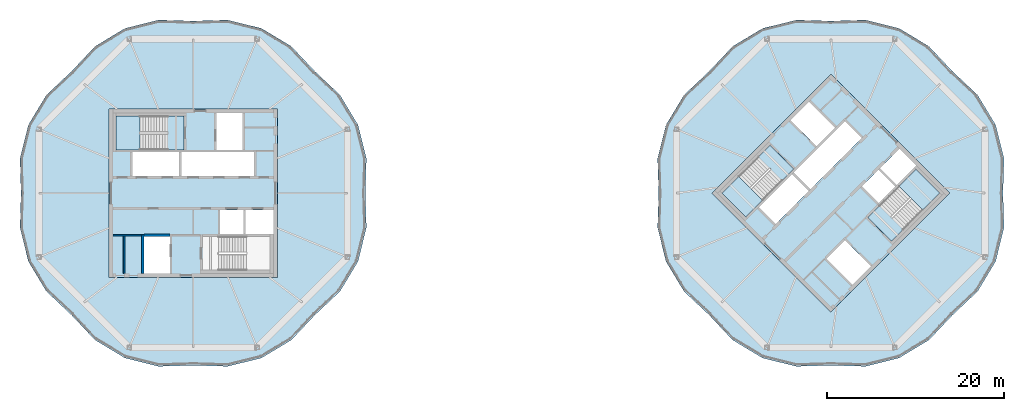
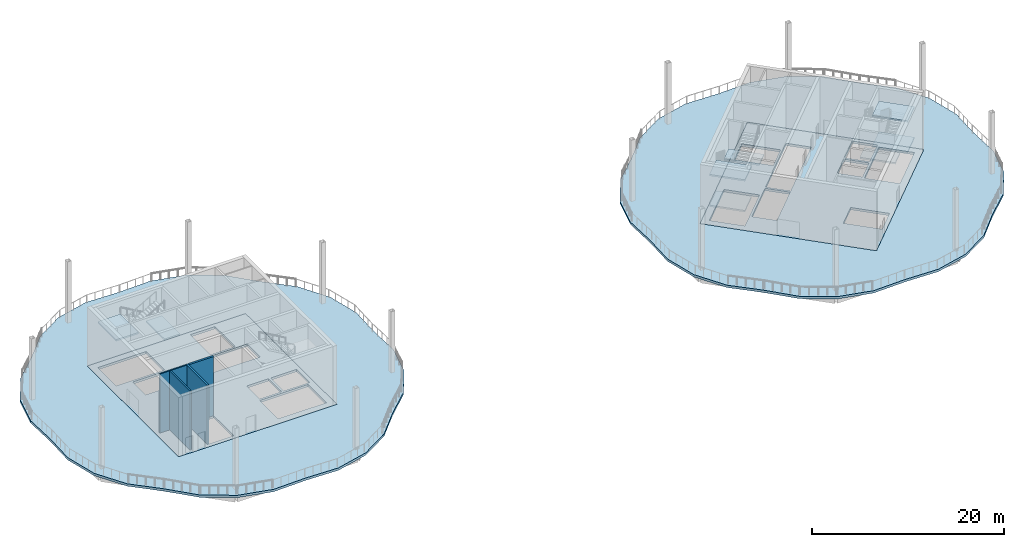
# One storey, part 4 of 12: 12 slabs, 4 walls, 3 elements without a shape of their own.
"""IFC4 building model written with IfcOpenShell, lengths in metres."""

from ifc_helpers import new_model, si_unit, direction, frame, frame_2d, origin, place, context, subcontext, project, spatial, polyline, rectangle, outline, extrude, material, layer, layer_set, type_object, element, aggregate, save


model = new_model("IFC4")

# Units and contexts
model_context = context("Model", 3, precision=1e-05, world=origin(), true_north=direction((0.0, 1.0)))
body_context = subcontext(model_context, "Body", "Model", "MODEL_VIEW")
ifc_project = project(units=[si_unit("LENGTHUNIT", "METRE"), si_unit("AREAUNIT", "SQUARE_METRE"), si_unit("VOLUMEUNIT", "CUBIC_METRE"), si_unit("PLANEANGLEUNIT", "RADIAN"), si_unit("MASSUNIT", "GRAM", prefix="KILO")], contexts=[model_context])

# Site, building, storey
site_placement = place(None, origin())
site = spatial("IfcSite", under=ifc_project, at=site_placement, CompositionType="ELEMENT")
building_placement = place(site_placement, origin())
building = spatial("IfcBuilding", under=site, at=building_placement, Name="Ogive Gate Towers", CompositionType="ELEMENT")
storey_placement = place(building_placement, frame((0.0, 0.0, 248.39990234375)))
storey = spatial("IfcBuildingStorey", under=building, at=storey_placement, Name="L59", CompositionType="ELEMENT", Elevation=248.39990234375)

# Slabs
ifc_material_1 = material(Name="Concrete C40/50", Category="concrete")
ifc_layer_1 = layer(ifc_material_1, 0.300048828125)
ifc_layer_set_1 = layer_set([ifc_layer_1], Name="Core slab C40/50 300 mm")
slab_type_1 = type_object("IfcSlabType", Name="Core slab C40/50 300 mm", PredefinedType="FLOOR", material=ifc_layer_set_1)
slab_1_placement = place(storey_placement, frame((0.0, 0.0, -0.2998046875)))
element("IfcSlab", 1, at=slab_1_placement, inside=storey, type_object=slab_type_1, Name="T1 L59 core slab", PredefinedType="FLOOR", context=body_context, shape_type="SweptSolid", body=[
    extrude(outline(polyline([(-45.5, -9.5), (-45.5, 9.5), (-26.5, 9.5), (-26.5, -9.5), (-45.5, -9.5)]), holes=[polyline([(-42.875, 1.925048828125), (-37.574951171875, 1.925048828125), (-37.574951171875, 4.625), (-42.875, 4.625), (-42.875, 1.925048828125)]), polyline([(-37.324951171875, 4.625), (-37.324951171875, 1.925048828125), (-29.125, 1.925048828125), (-29.125, 4.625), (-37.324951171875, 4.625)]), polyline([(-30.324951171875, -1.925048828125), (-32.97509765625, -1.925048828125), (-32.97509765625, -4.625), (-30.324951171875, -4.625), (-30.324951171875, -1.925048828125)]), polyline([(-26.949951171875, -4.625), (-26.949951171875, -1.925048828125), (-30.074951171875, -1.925048828125), (-30.074951171875, -4.625), (-26.949951171875, -4.625)]), polyline([(-33.375, 4.875), (-30.425048828125, 4.875), (-30.425048828125, 9.050048828125), (-33.375, 9.050048828125), (-33.375, 4.875)]), polyline([(-41.574951171875, -4.875), (-41.574951171875, -9.050048828125), (-38.625, -9.050048828125), (-38.625, -4.875), (-41.574951171875, -4.875)]), polyline([(-44.699951171875, 4.875), (-38.885009765625, 4.875), (-38.885009765625, 8.699951171875), (-44.699951171875, 8.699951171875), (-44.699951171875, 4.875)]), polyline([(-27.300048828125, -8.699951171875), (-27.300048828125, -4.875), (-33.114990234375, -4.875), (-33.114990234375, -8.699951171875), (-27.300048828125, -8.699951171875)])]), origin(), (0.0, 0.0, 1.0), 0.2998046875),
])
slab_2_placement = place(storey_placement, frame((0.0, 0.0, -0.2998046875)))
element("IfcSlab", 2, at=slab_2_placement, inside=storey, type_object=slab_type_1, Name="T2 L59 core slab", PredefinedType="FLOOR", context=body_context, shape_type="SweptSolid", body=[
    extrude(outline(polyline([(36.0, -13.43505859375), (22.56494140625, 0.0), (36.0, 13.43505859375), (49.43505859375, 0.0), (36.0, -13.43505859375)]), holes=[polyline([(29.777587890625, -3.500244140625), (33.525146484375, 0.24755859375), (31.615966796875, 2.15673828125), (27.868408203125, -1.591064453125), (29.777587890625, -3.500244140625)]), polyline([(31.792724609375, 2.33349609375), (33.701904296875, 0.42431640625), (39.500244140625, 6.222412109375), (37.591064453125, 8.131591796875), (31.792724609375, 2.33349609375)]), polyline([(41.3740234375, 2.651611328125), (39.500244140625, 0.77783203125), (41.409423828125, -1.13134765625), (43.283203125, 0.742431640625), (41.3740234375, 2.651611328125)]), polyline([(45.669677734375, 3.12890625), (43.760498046875, 5.0380859375), (41.55078125, 2.828369140625), (43.4599609375, 0.919189453125), (45.669677734375, 3.12890625)]), polyline([(34.408935546875, 5.30322265625), (36.4951171875, 7.389404296875), (33.542724609375, 10.34130859375), (31.456787109375, 8.255615234375), (34.408935546875, 5.30322265625)]), polyline([(35.5048828125, -7.389404296875), (38.457275390625, -10.34130859375), (40.543212890625, -8.255615234375), (37.591064453125, -5.30322265625), (35.5048828125, -7.389404296875)]), polyline([(26.40087890625, -2.70458984375), (30.512939453125, 1.406982421875), (27.80810546875, 4.11181640625), (23.6962890625, 0.0), (26.40087890625, -2.70458984375)]), polyline([(48.3037109375, 0.0), (45.59912109375, 2.70458984375), (41.487060546875, -1.406982421875), (44.19189453125, -4.11181640625), (48.3037109375, 0.0)])]), origin(), (0.0, 0.0, 1.0), 0.2998046875),
])
ifc_material_2 = material(Name="Concrete C35/45", Category="concrete")
ifc_layer_2 = layer(ifc_material_2, 0.300048828125)
ifc_layer_set_2 = layer_set([ifc_layer_2], Name="Floor slab 300")
slab_type_2 = type_object("IfcSlabType", Name="Floor slab 300", PredefinedType="FLOOR", material=ifc_layer_set_2)
slab_3_placement = place(storey_placement, frame((0.0, 0.0, -0.2998046875)))
element("IfcSlab", 3, at=slab_3_placement, inside=storey, type_object=slab_type_2, Name="T1/L59/SSL001", PredefinedType="FLOOR", context=body_context, shape_type="SweptSolid", body=[
    extrude(outline(polyline([(-16.443115234375, -3.89013671875), (-16.56005859375, 0.0), (-16.443115234375, 3.89013671875), (-17.39306640625, 7.707275390625), (-19.42041015625, 11.078125), (-22.25390625, 13.74609375), (-24.921875, 16.57958984375), (-28.292724609375, 18.60693359375), (-32.10986328125, 19.556884765625), (-36.0, 19.43994140625), (-39.89013671875, 19.556884765625), (-43.707275390625, 18.60693359375), (-47.078125, 16.57958984375), (-49.74609375, 13.74609375), (-52.57958984375, 11.078125), (-54.60693359375, 7.707275390625), (-55.556884765625, 3.89013671875), (-55.43994140625, 0.0), (-55.556884765625, -3.89013671875), (-54.60693359375, -7.707275390625), (-52.57958984375, -11.078125), (-49.74609375, -13.74609375), (-47.078125, -16.57958984375), (-43.707275390625, -18.60693359375), (-39.89013671875, -19.556884765625), (-36.0, -19.43994140625), (-32.10986328125, -19.556884765625), (-28.292724609375, -18.60693359375), (-24.921875, -16.57958984375), (-22.25390625, -13.74609375), (-19.42041015625, -11.078125), (-17.39306640625, -7.707275390625), (-16.443115234375, -3.89013671875)]), holes=[polyline([(-26.5, -9.5), (-45.5, -9.5), (-45.5, 9.5), (-26.5, 9.5), (-26.5, -9.5)])]), origin(), (0.0, 0.0, 1.0), 0.2998046875),
])
slab_4_placement = place(storey_placement, frame((0.0, 0.0, -0.2998046875)))
element("IfcSlab", 4, at=slab_4_placement, inside=storey, type_object=slab_type_2, Name="T2/L59/SSL001", PredefinedType="FLOOR", context=body_context, shape_type="SweptSolid", body=[
    extrude(outline(polyline([(55.556884765625, -3.89013671875), (55.43994140625, 0.0), (55.556884765625, 3.89013671875), (54.60693359375, 7.707275390625), (52.57958984375, 11.078125), (49.74609375, 13.74609375), (47.078125, 16.57958984375), (43.707275390625, 18.60693359375), (39.89013671875, 19.556884765625), (36.0, 19.43994140625), (32.10986328125, 19.556884765625), (28.292724609375, 18.60693359375), (24.921875, 16.57958984375), (22.25390625, 13.74609375), (19.42041015625, 11.078125), (17.39306640625, 7.707275390625), (16.443115234375, 3.89013671875), (16.56005859375, 0.0), (16.443115234375, -3.89013671875), (17.39306640625, -7.707275390625), (19.42041015625, -11.078125), (22.25390625, -13.74609375), (24.921875, -16.57958984375), (28.292724609375, -18.60693359375), (32.10986328125, -19.556884765625), (36.0, -19.43994140625), (39.89013671875, -19.556884765625), (43.707275390625, -18.60693359375), (47.078125, -16.57958984375), (49.74609375, -13.74609375), (52.57958984375, -11.078125), (54.60693359375, -7.707275390625), (55.556884765625, -3.89013671875)]), holes=[polyline([(49.43505859375, 0.0), (36.0, -13.43505859375), (22.56494140625, 0.0), (36.0, 13.43505859375), (49.43505859375, 0.0)])]), origin(), (0.0, 0.0, 1.0), 0.2998046875),
])

# Stair, slabs
stair_type = type_object("IfcStairType", Name="Escape stair 1840 wide", PredefinedType="HALF_TURN_STAIR", material=ifc_material_1)
stair_1_placement = place(storey_placement, origin())
stair_1 = element("IfcStair", 5, at=stair_1_placement, inside=storey, type_object=stair_type, Name="L59 Escape stair 1", PredefinedType="HALF_TURN_STAIR")
ifc_layer_3 = layer(ifc_material_1, 0.199951171875)
ifc_layer_set_3 = layer_set([ifc_layer_3], Name="Stair landing 200 mm")
slab_type_3 = type_object("IfcSlabType", Name="Stair landing 200 mm", PredefinedType="LANDING", material=ifc_layer_set_3)
slab_5_placement = place(storey_placement, frame((0.0, 0.0, 3.7001953125)))
slab_5 = element("IfcSlab", 6, at=slab_5_placement, type_object=slab_type_3, Name="ST1 landing 2", PredefinedType="LANDING", context=body_context, shape_type="SweptSolid", body=[
    extrude(outline(polyline([(-37.02490234375, 8.699951171875), (-38.885009765625, 8.699951171875), (-38.885009765625, 4.875), (-37.02490234375, 4.875), (-37.02490234375, 8.699951171875)])), origin(), (0.0, 0.0, 1.0), 0.199951171875),
])
slab_6_placement = place(storey_placement, frame((0.0, 0.0, 5.650146484375)))
slab_6 = element("IfcSlab", 7, at=slab_6_placement, type_object=slab_type_3, Name="ST1 landing 3", PredefinedType="LANDING", context=body_context, shape_type="SweptSolid", body=[
    extrude(outline(polyline([(-42.00146484375, 8.699951171875), (-44.699951171875, 8.699951171875), (-44.699951171875, 4.875), (-42.00146484375, 4.875), (-42.00146484375, 8.699951171875)])), origin(), (0.0, 0.0, 1.0), 0.199951171875),
])
aggregate(stair_1, [slab_5, slab_6])

stair_2_placement = place(storey_placement, origin())
stair_2 = element("IfcStair", 8, at=stair_2_placement, inside=storey, type_object=stair_type, Name="L59 Escape stair 1", PredefinedType="HALF_TURN_STAIR")
slab_7_placement = place(storey_placement, frame((0.0, 0.0, 1.75)))
slab_7 = element("IfcSlab", 9, at=slab_7_placement, type_object=slab_type_3, Name="ST1 landing 1", PredefinedType="LANDING", context=body_context, shape_type="SweptSolid", body=[
    extrude(outline(polyline([(25.6044921875, 1.908203125), (23.6962890625, 0.0), (26.401123046875, -2.70458984375), (28.309326171875, -0.79638671875), (25.6044921875, 1.908203125)])), origin(), (0.0, 0.0, 1.0), 0.2001953125),
])
slab_8_placement = place(storey_placement, frame((0.0, 0.0, 3.7001953125)))
slab_8 = element("IfcSlab", 10, at=slab_8_placement, type_object=slab_type_3, Name="ST1 landing 2", PredefinedType="LANDING", context=body_context, shape_type="SweptSolid", body=[
    extrude(outline(polyline([(29.123291015625, 5.427001953125), (27.80810546875, 4.11181640625), (30.512939453125, 1.4072265625), (31.828125, 2.722412109375), (29.123291015625, 5.427001953125)])), origin(), (0.0, 0.0, 1.0), 0.199951171875),
])
slab_9_placement = place(storey_placement, frame((0.0, 0.0, 5.650146484375)))
slab_9 = element("IfcSlab", 11, at=slab_9_placement, type_object=slab_type_3, Name="ST1 landing 3", PredefinedType="LANDING", context=body_context, shape_type="SweptSolid", body=[
    extrude(outline(polyline([(25.6044921875, 1.908203125), (23.6962890625, 0.0), (26.401123046875, -2.70458984375), (28.309326171875, -0.79638671875), (25.6044921875, 1.908203125)])), origin(), (0.0, 0.0, 1.0), 0.199951171875),
])
aggregate(stair_2, [slab_7, slab_8, slab_9])

stair_3_placement = place(storey_placement, origin())
stair_3 = element("IfcStair", 12, at=stair_3_placement, inside=storey, type_object=stair_type, Name="L59 Escape stair 2", PredefinedType="HALF_TURN_STAIR")
slab_10_placement = place(storey_placement, frame((0.0, 0.0, 1.75)))
slab_10 = element("IfcSlab", 13, at=slab_10_placement, type_object=slab_type_3, Name="ST2 landing 1", PredefinedType="LANDING", context=body_context, shape_type="SweptSolid", body=[
    extrude(outline(polyline([(46.3955078125, -1.908203125), (48.3037109375, 0.0), (45.598876953125, 2.70458984375), (43.690673828125, 0.79638671875), (46.3955078125, -1.908203125)])), origin(), (0.0, 0.0, 1.0), 0.2001953125),
])
slab_11_placement = place(storey_placement, frame((0.0, 0.0, 3.7001953125)))
slab_11 = element("IfcSlab", 14, at=slab_11_placement, type_object=slab_type_3, Name="ST2 landing 2", PredefinedType="LANDING", context=body_context, shape_type="SweptSolid", body=[
    extrude(outline(polyline([(42.876708984375, -5.427001953125), (44.19189453125, -4.11181640625), (41.487060546875, -1.4072265625), (40.171875, -2.722412109375), (42.876708984375, -5.427001953125)])), origin(), (0.0, 0.0, 1.0), 0.199951171875),
])
slab_12_placement = place(storey_placement, frame((0.0, 0.0, 5.650146484375)))
slab_12 = element("IfcSlab", 15, at=slab_12_placement, type_object=slab_type_3, Name="ST2 landing 3", PredefinedType="LANDING", context=body_context, shape_type="SweptSolid", body=[
    extrude(outline(polyline([(46.3955078125, -1.908203125), (48.3037109375, 0.0), (45.598876953125, 2.70458984375), (43.690673828125, 0.79638671875), (46.3955078125, -1.908203125)])), origin(), (0.0, 0.0, 1.0), 0.199951171875),
])
aggregate(stair_3, [slab_10, slab_11, slab_12])

# Walls
ifc_material_3 = material(Name="Gypsum board partition")
ifc_layer_4 = layer(ifc_material_3, 0.14990234375)
ifc_layer_set_4 = layer_set([ifc_layer_4], Name="Room partition 150 mm")
wall_type_1 = type_object("IfcWallType", Name="Room partition 150 mm", PredefinedType="PARTITIONING", material=ifc_layer_set_4)
wall_1_placement = place(storey_placement, frame((-45.050048828125, -4.75, 0.0), z_axis=(0.0, 0.0, 1.0), x_axis=(1.0, 0.0, 0.0)))
element("IfcWall", 16, at=wall_1_placement, inside=storey, type_object=wall_type_1, Name="T1 L59 Room partition 150 mm", PredefinedType="PARTITIONING", context=body_context, shape_type="SweptSolid", body=[
    extrude(rectangle(XDim=3.22509765625, YDim=0.14990234375, at=frame_2d((1.612548828125, 0.0))), origin(), (0.0, 0.0, 1.0), 7.5),
])
wall_2_placement = place(storey_placement, frame((-43.800048828125, -9.050048828125, 0.0), z_axis=(0.0, 0.0, 1.0), x_axis=(0.0, 1.0, 0.0)))
element("IfcWall", 17, at=wall_2_placement, inside=storey, type_object=wall_type_1, Name="T1 L59 Room partition 150 mm", PredefinedType="PARTITIONING", context=body_context, shape_type="SweptSolid", body=[
    extrude(rectangle(XDim=4.22509765625, YDim=0.14990234375, at=frame_2d((2.112548828125, 0.0))), origin(), (0.0, 0.0, 1.0), 7.5),
])
ifc_material_4 = material(Name="Concrete C60/75", Category="concrete")
ifc_layer_5 = layer(ifc_material_4, 0.25)
ifc_layer_set_5 = layer_set([ifc_layer_5], Name="Shaft wall 250 mm")
wall_type_2 = type_object("IfcWallType", Name="Shaft wall 250 mm", PredefinedType="SHEAR", material=ifc_layer_set_5)
wall_3_placement = place(storey_placement, frame((-41.574951171875, -4.75, 0.0), z_axis=(0.0, 0.0, 1.0), x_axis=(1.0, 0.0, 0.0)))
element("IfcWall", 18, at=wall_3_placement, inside=storey, type_object=wall_type_2, Name="T1 L59 Shaft wall 250 mm", PredefinedType="SHEAR", context=body_context, shape_type="SweptSolid", body=[
    extrude(rectangle(XDim=2.949951171875, YDim=0.25, at=frame_2d((1.47509765625, 0.0))), origin(), (0.0, 0.0, 1.0), 7.5),
])
wall_4_placement = place(storey_placement, frame((-41.699951171875, -9.050048828125, 0.0), z_axis=(0.0, 0.0, 1.0), x_axis=(0.0, 1.0, 0.0)))
element("IfcWall", 19, at=wall_4_placement, inside=storey, type_object=wall_type_2, Name="T1 L59 Shaft wall 250 mm", PredefinedType="SHEAR", context=body_context, shape_type="SweptSolid", body=[
    extrude(rectangle(XDim=4.375, YDim=0.25, at=frame_2d((2.1875, 0.0))), origin(), (0.0, 0.0, 1.0), 7.5),
])

save(model, "model.ifc")
